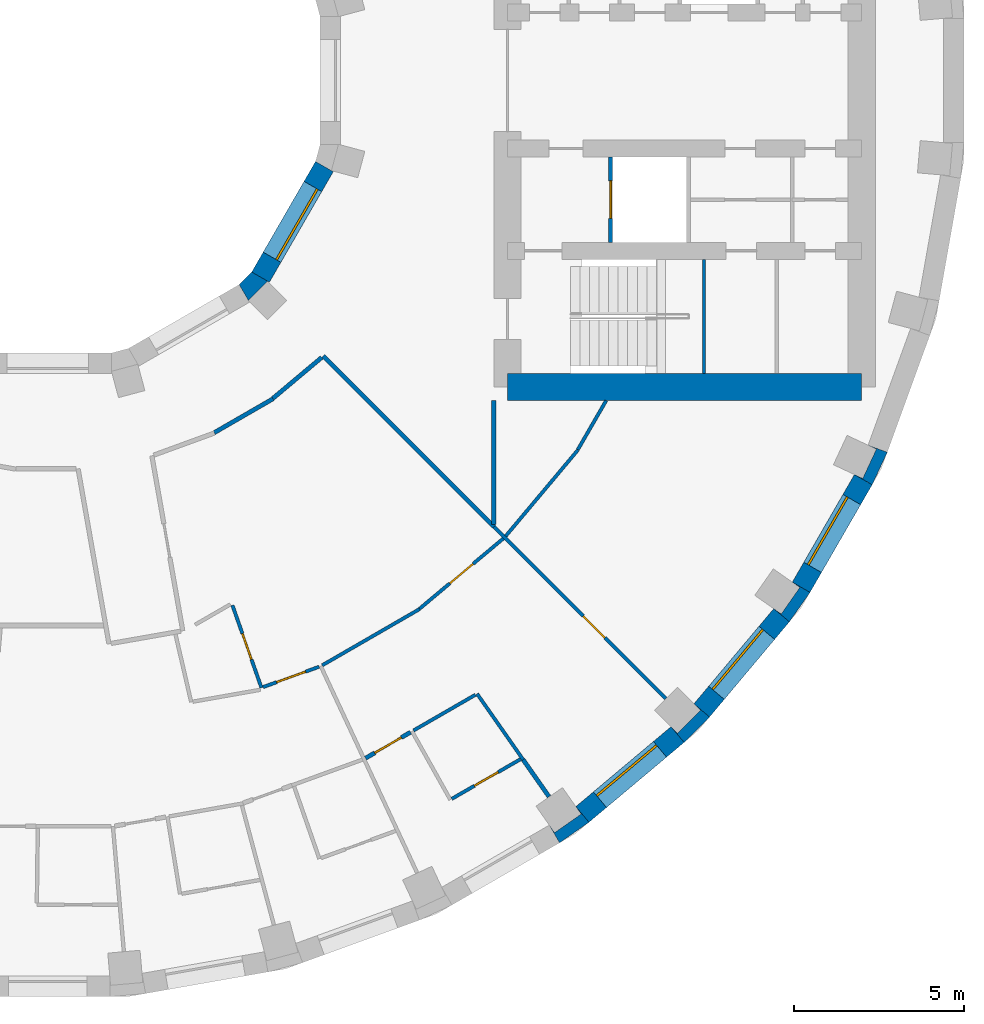
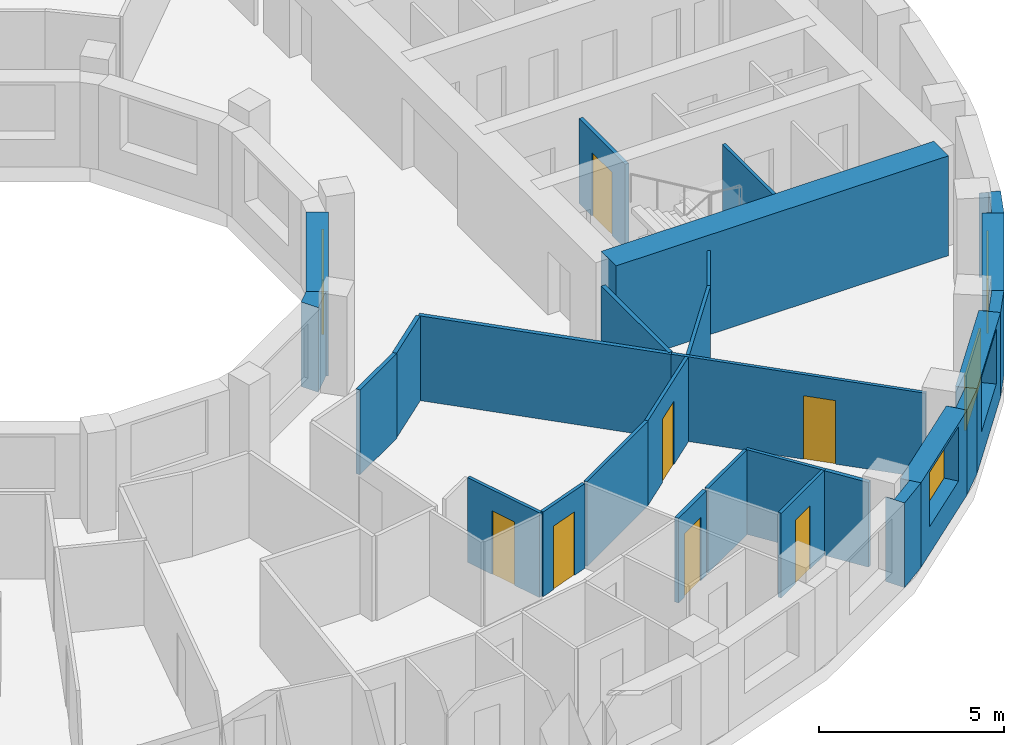
# One storey, part 8 of 14: 28 walls, 7 doors, 4 windows, 11 openings.
"""IFC4 building model written with IfcOpenShell, lengths in metres."""

from ifc_helpers import new_model, si_unit, direction, frame, frame_2d, origin, place, context, subcontext, project, spatial, polyline, rectangle, outline, extrude, material, layer, layer_set, type_object, element, fill, save


model = new_model("IFC4")

# Units and contexts
model_context = context("Model", 3, precision=1e-05, world=origin(), true_north=direction((0.0, 1.0)))
body_context = subcontext(model_context, "Body", "Model", "MODEL_VIEW")
ifc_project = project(units=[si_unit("LENGTHUNIT", "METRE"), si_unit("AREAUNIT", "SQUARE_METRE"), si_unit("VOLUMEUNIT", "CUBIC_METRE"), si_unit("PLANEANGLEUNIT", "RADIAN"), si_unit("MASSUNIT", "GRAM", prefix="KILO")], contexts=[model_context])

# Site, building, storey
site_placement = place(None, origin())
site = spatial("IfcSite", under=ifc_project, at=site_placement, CompositionType="ELEMENT")
building_placement = place(site_placement, origin())
building = spatial("IfcBuilding", under=site, at=building_placement, Name="Saqina Gate Tower", CompositionType="ELEMENT")
storey_placement = place(building_placement, frame((0.0, 0.0, 101.800048828125)))
storey = spatial("IfcBuildingStorey", under=building, at=storey_placement, Name="L28", CompositionType="ELEMENT", Elevation=101.800048828125)

# Walls
ifc_material_1 = material(Name="Brick masonry (buff)", Category="masonry")
wall_type_1 = type_object("IfcWallType", Name="BRICK PIER COPING BUFF", PredefinedType="SOLIDWALL", material=ifc_material_1)
wall_1_placement = place(storey_placement, origin())
element("IfcWall", 1, at=wall_1_placement, inside=storey, type_object=wall_type_1, Name="Pier cap L28 column 31", PredefinedType="SOLIDWALL", context=body_context, shape_type="SweptSolid", body=[
    extrude(outline(polyline([(15.89208984375, -21.77685546875), (15.50634765625, -21.317138671875), (15.66064453125, -21.53759765625), (14.88232421875, -22.08251953125), (14.728271484375, -21.862060546875), (15.0283203125, -22.3818359375), (15.89208984375, -21.77685546875)])), origin(), (0.0, 0.0, 1.0), 2.800048828125),
])
wall_2_placement = place(storey_placement, origin())
element("IfcWall", 2, at=wall_2_placement, inside=storey, type_object=wall_type_1, Name="Pier cap L28 column 32", PredefinedType="SOLIDWALL", context=body_context, shape_type="SweptSolid", body=[
    extrude(outline(polyline([(18.686279296875, -19.43212890625), (19.43212890625, -18.686279296875), (18.972412109375, -18.30078125), (19.16259765625, -18.49072265625), (18.49072265625, -19.16259765625), (18.30078125, -18.972412109375), (18.686279296875, -19.43212890625)])), origin(), (0.0, 0.0, 1.0), 2.800048828125),
])
wall_3_placement = place(storey_placement, origin())
element("IfcWall", 3, at=wall_3_placement, inside=storey, type_object=wall_type_1, Name="Pier cap L28 column 33", PredefinedType="SOLIDWALL", context=body_context, shape_type="SweptSolid", body=[
    extrude(outline(polyline([(22.3818359375, -15.0283203125), (21.862060546875, -14.728271484375), (22.08251953125, -14.88232421875), (21.53759765625, -15.66064453125), (21.317138671875, -15.50634765625), (21.77685546875, -15.89208984375), (22.3818359375, -15.0283203125)])), origin(), (0.0, 0.0, 1.0), 2.800048828125),
])
wall_4_placement = place(storey_placement, origin())
element("IfcWall", 4, at=wall_4_placement, inside=storey, type_object=wall_type_1, Name="Pier cap L28 column 34", PredefinedType="SOLIDWALL", context=body_context, shape_type="SweptSolid", body=[
    extrude(outline(polyline([(24.6513671875, -10.913330078125), (24.08740234375, -10.7080078125), (24.331298828125, -10.82177734375), (23.9296875, -11.6826171875), (23.68603515625, -11.569091796875), (24.205810546875, -11.869140625), (24.6513671875, -10.913330078125)])), origin(), (0.0, 0.0, 1.0), 2.800048828125),
])

# Wall, opening, window
ifc_material_2 = material(Name="Brick masonry (buff)", Category="masonry")
ifc_layer_1 = layer(ifc_material_2, 0.60009765625)
ifc_layer_set_1 = layer_set([ifc_layer_1], Name="FW-BRICK-BUFF")
wall_type_2 = type_object("IfcWallType", Name="FW-BRICK-BUFF", PredefinedType="SOLIDWALL", material=ifc_layer_set_1)
wall_5_placement = place(storey_placement, frame((15.69921875, -21.547119140625, 0.0), z_axis=(0.0, 0.0, 1.0), x_axis=(0.766055462616, 0.642774476932, 0.0)))
wall_5 = element("IfcWall", 5, at=wall_5_placement, inside=storey, type_object=wall_type_2, Name="Facade wall L28 facet 31", PredefinedType="SOLIDWALL", context=body_context, shape_type="SweptSolid", body=[
    extrude(rectangle(XDim=3.647705078125, YDim=0.60009765625, at=frame_2d((1.82373046875, 0.0))), origin(), (0.0, 0.0, 1.0), 2.800048828125),
])
opening_1_placement = place(wall_5_placement, frame((0.673828125, 0.0, 0.89990234375)))
opening_1 = element("IfcOpeningElement", 6, at=opening_1_placement, cuts=wall_5, Name="Opening G08-W20", PredefinedType="OPENING", context=body_context, shape_type="SweptSolid", body=[
    extrude(rectangle(XDim=2.300048828125, YDim=1.800048828125, at=frame_2d((1.14990234375, 0.89990234375))), frame((0.0, 0.31201171875, 0.0), z_axis=(0.0, -1.0, 0.0), x_axis=(1.0, 0.0, 0.0)), (0.0, 0.0, 1.0), 0.6240234375),
])
ifc_material_3 = material(Name="Aluminium glazing", Category="aluminium")
window_type_1 = type_object("IfcWindowType", Name="WN-B", PartitioningType="SINGLE_PANEL", PredefinedType="WINDOW", material=ifc_material_3)
window_1_placement = place(opening_1_placement, origin())
window_1 = element("IfcWindow", 7, at=window_1_placement, inside=storey, type_object=window_type_1, Name="Window L28 facet 31", OverallHeight=1.800048828125, OverallWidth=2.300048828125, PartitioningType="SINGLE_PANEL", PredefinedType="WINDOW", context=body_context, shape_type="SweptSolid", body=[
    extrude(rectangle(XDim=2.300048828125, YDim=1.800048828125, at=frame_2d((1.14990234375, 0.89990234375))), frame((0.0, 0.179931640625, 0.0), z_axis=(0.0, -1.0, 0.0), x_axis=(1.0, 0.0, 0.0)), (0.0, 0.0, 1.0), 0.06005859375),
])
fill(opening_1, window_1)

wall_6_placement = place(storey_placement, frame((19.202392578125, -18.49365234375, 0.0), z_axis=(0.0, 0.0, 1.0), x_axis=(0.642774476932, 0.766055462616, 0.0)))
wall_6 = element("IfcWall", 8, at=wall_6_placement, inside=storey, type_object=wall_type_2, Name="Facade wall L28 facet 32", PredefinedType="SOLIDWALL", context=body_context, shape_type="SweptSolid", body=[
    extrude(rectangle(XDim=3.647705078125, YDim=0.60009765625, at=frame_2d((1.82373046875, 0.0))), origin(), (0.0, 0.0, 1.0), 2.800048828125),
])
opening_2_placement = place(wall_6_placement, frame((0.673828125, 0.0, 0.89990234375)))
opening_2 = element("IfcOpeningElement", 9, at=opening_2_placement, cuts=wall_6, Name="Opening G08-W21", PredefinedType="OPENING", context=body_context, shape_type="SweptSolid", body=[
    extrude(rectangle(XDim=2.300048828125, YDim=1.800048828125, at=frame_2d((1.14990234375, 0.89990234375))), frame((0.0, 0.31201171875, 0.0), z_axis=(0.0, -1.0, 0.0), x_axis=(1.0, 0.0, 0.0)), (0.0, 0.0, 1.0), 0.6240234375),
])
window_2_placement = place(opening_2_placement, origin())
window_2 = element("IfcWindow", 10, at=window_2_placement, inside=storey, type_object=window_type_1, Name="Window L28 facet 32", OverallHeight=1.800048828125, OverallWidth=2.300048828125, PartitioningType="SINGLE_PANEL", PredefinedType="WINDOW", context=body_context, shape_type="SweptSolid", body=[
    extrude(rectangle(XDim=2.300048828125, YDim=1.800048828125, at=frame_2d((1.14990234375, 0.89990234375))), frame((0.0, 0.179931640625, 0.0), z_axis=(0.0, -1.0, 0.0), x_axis=(1.0, 0.0, 0.0)), (0.0, 0.0, 1.0), 0.06005859375),
])
fill(opening_2, window_2)

wall_7_placement = place(storey_placement, frame((22.1220703125, -14.878173828125, 0.0), z_axis=(0.0, 0.0, 1.0), x_axis=(0.499954196102, 0.866051847062, 0.0)))
wall_7 = element("IfcWall", 11, at=wall_7_placement, inside=storey, type_object=wall_type_2, Name="Facade wall L28 facet 33", PredefinedType="SOLIDWALL", context=body_context, shape_type="SweptSolid", body=[
    extrude(rectangle(XDim=3.647705078125, YDim=0.60009765625, at=frame_2d((1.82373046875, 0.0))), origin(), (0.0, 0.0, 1.0), 2.800048828125),
])
opening_3_placement = place(wall_7_placement, frame((0.673828125, 0.0, 0.89990234375)))
opening_3 = element("IfcOpeningElement", 12, at=opening_3_placement, cuts=wall_7, Name="Opening G08-W22", PredefinedType="OPENING", context=body_context, shape_type="SweptSolid", body=[
    extrude(rectangle(XDim=2.300048828125, YDim=1.800048828125, at=frame_2d((1.14990234375, 0.89990234375))), frame((0.0, 0.31201171875, 0.0), z_axis=(0.0, -1.0, 0.0), x_axis=(1.0, 0.0, 0.0)), (0.0, 0.0, 1.0), 0.6240234375),
])
window_3_placement = place(opening_3_placement, origin())
window_3 = element("IfcWindow", 13, at=window_3_placement, inside=storey, type_object=window_type_1, Name="Window L28 facet 33", OverallHeight=1.800048828125, OverallWidth=2.300048828125, PartitioningType="SINGLE_PANEL", PredefinedType="WINDOW", context=body_context, shape_type="SweptSolid", body=[
    extrude(rectangle(XDim=2.300048828125, YDim=1.800048828125, at=frame_2d((1.14990234375, 0.89990234375))), frame((0.0, 0.179931640625, 0.0), z_axis=(0.0, -1.0, 0.0), x_axis=(1.0, 0.0, 0.0)), (0.0, 0.0, 1.0), 0.06005859375),
])
fill(opening_3, window_3)

ifc_material_4 = material(Name="Glazed ceramic tile", Category="ceramic")
ifc_layer_2 = layer(ifc_material_4, 0.60009765625)
ifc_layer_set_2 = layer_set([ifc_layer_2], Name="IW-TILE")
wall_type_3 = type_object("IfcWallType", Name="IW-TILE", PredefinedType="SOLIDWALL", material=ifc_layer_set_2)
wall_8_placement = place(storey_placement, frame((6.251220703125, -5.772705078125, 0.0), z_axis=(0.0, 0.0, 1.0), x_axis=(0.499964958637, 0.86604563398, 0.0)))
wall_8 = element("IfcWall", 14, at=wall_8_placement, inside=storey, type_object=wall_type_3, Name="Well wall L28 facet 11", PredefinedType="SOLIDWALL", context=body_context, shape_type="SweptSolid", body=[
    extrude(rectangle(XDim=3.747314453125, YDim=0.60009765625, at=frame_2d((1.87353515625, 0.0))), origin(), (0.0, 0.0, 1.0), 2.800048828125),
])
opening_4_placement = place(wall_8_placement, frame((0.673583984375, 0.0, 0.89990234375)))
opening_4 = element("IfcOpeningElement", 15, at=opening_4_placement, cuts=wall_8, Name="Opening G08-W33", PredefinedType="OPENING", context=body_context, shape_type="SweptSolid", body=[
    extrude(rectangle(XDim=2.39990234375, YDim=1.800048828125, at=frame_2d((1.199951171875, 0.89990234375))), frame((0.0, 0.31201171875, 0.0), z_axis=(0.0, -1.0, 0.0), x_axis=(1.0, 0.0, 0.0)), (0.0, 0.0, 1.0), 0.6240234375),
])
ifc_material_5 = material(Name="Aluminium glazing", Category="aluminium")
window_type_2 = type_object("IfcWindowType", Name="WN-W", PartitioningType="SINGLE_PANEL", PredefinedType="WINDOW", material=ifc_material_5)
window_4_placement = place(opening_4_placement, origin())
window_4 = element("IfcWindow", 16, at=window_4_placement, inside=storey, type_object=window_type_2, Name="Well window L28 facet 11", OverallHeight=1.800048828125, OverallWidth=2.39990234375, PartitioningType="SINGLE_PANEL", PredefinedType="WINDOW", context=body_context, shape_type="SweptSolid", body=[
    extrude(rectangle(XDim=2.39990234375, YDim=1.800048828125, at=frame_2d((1.199951171875, 0.89990234375))), frame((0.0, -0.119873046875, 0.0), z_axis=(0.0, -1.0, 0.0), x_axis=(1.0, 0.0, 0.0)), (0.0, 0.0, 1.0), 0.06005859375),
])
fill(opening_4, window_4)

# Wall, opening, door
ifc_material_6 = material(Name="Gypsum board on steel studs, 100 mm", Category="steel")
ifc_layer_3 = layer(ifc_material_6, 0.10009765625)
ifc_layer_set_3 = layer_set([ifc_layer_3], Name="PARTITION 100")
wall_type_4 = type_object("IfcWallType", Name="PARTITION 100", PredefinedType="PARTITIONING", material=ifc_layer_set_3)
wall_9_placement = place(storey_placement, frame((5.424072265625, -15.4052734375, 0.0), z_axis=(0.0, 0.0, 1.0), x_axis=(0.332059637914, -0.943258393479, 0.0)))
wall_9 = element("IfcWall", 17, at=wall_9_placement, inside=storey, type_object=wall_type_4, Name="PARTITION PW3-10", PredefinedType="PARTITIONING", context=body_context, shape_type="SweptSolid", body=[
    extrude(rectangle(XDim=2.569580078125, YDim=0.10009765625, at=frame_2d((1.28466796875, 0.0))), origin(), (0.0, 0.0, 1.0), 2.800048828125),
])
opening_5_placement = place(wall_9_placement, frame((0.884521484375, 0.0, 0.0)))
opening_5 = element("IfcOpeningElement", 18, at=opening_5_placement, cuts=wall_9, Name="Opening G08-D43", PredefinedType="OPENING", context=body_context, shape_type="SweptSolid", body=[
    extrude(rectangle(XDim=0.800048828125, YDim=2.10009765625, at=frame_2d((0.39990234375, 1.050048828125))), frame((0.0, 0.06201171875, 0.0), z_axis=(0.0, -1.0, 0.0), x_axis=(1.0, 0.0, 0.0)), (0.0, 0.0, 1.0), 0.1240234375),
])
ifc_material_7 = material(Name="Timber door leaf, 800 mm", Category="wood")
door_type_1 = type_object("IfcDoorType", Name="DOOR 800 TIMBER", OperationType="SINGLE_SWING_LEFT", PredefinedType="DOOR", material=ifc_material_7)
door_1_placement = place(opening_5_placement, origin())
door_1 = element("IfcDoor", 19, at=door_1_placement, inside=storey, type_object=door_type_1, Name="DOOR G08-D43", OperationType="SINGLE_SWING_LEFT", OverallHeight=2.10009765625, OverallWidth=0.800048828125, PredefinedType="DOOR", context=body_context, shape_type="SweptSolid", body=[
    extrude(rectangle(XDim=0.800048828125, YDim=2.10009765625, at=frame_2d((0.39990234375, 1.050048828125))), frame((0.0, 0.02490234375, 0.0), z_axis=(0.0, -1.0, 0.0), x_axis=(1.0, 0.0, 0.0)), (0.0, 0.0, 1.0), 0.050048828125),
])
fill(opening_5, door_1)

# Wall
wall_10_placement = place(storey_placement, frame((12.60791015625, -18.006103515625, 0.0), z_axis=(0.0, 0.0, 1.0), x_axis=(0.573573515593, -0.819154089418, 0.0)))
element("IfcWall", 20, at=wall_10_placement, inside=storey, type_object=wall_type_4, Name="PARTITION PW3-17", PredefinedType="PARTITIONING", context=body_context, shape_type="SweptSolid", body=[
    extrude(rectangle(XDim=2.358154296875, YDim=0.10009765625, at=frame_2d((1.17919921875, 0.0))), origin(), (0.0, 0.0, 1.0), 2.800048828125),
])

# Wall, opening, door
wall_11_placement = place(storey_placement, frame((13.099853515625, -13.10009765625, 0.0), z_axis=(0.0, 0.0, 1.0), x_axis=(0.707192272448, -0.707021279588, 0.0)))
wall_11 = element("IfcWall", 21, at=wall_11_placement, inside=storey, type_object=wall_type_4, Name="PARTITION PW3-21", PredefinedType="PARTITIONING", context=body_context, shape_type="SweptSolid", body=[
    extrude(rectangle(XDim=7.138916015625, YDim=0.10009765625, at=frame_2d((3.5693359375, 0.0))), origin(), (0.0, 0.0, 1.0), 2.800048828125),
])
opening_6_placement = place(wall_11_placement, frame((3.709716796875, 0.0, 0.0)))
opening_6 = element("IfcOpeningElement", 22, at=opening_6_placement, cuts=wall_11, Name="Opening G08-D49", PredefinedType="OPENING", context=body_context, shape_type="SweptSolid", body=[
    extrude(rectangle(XDim=0.89990234375, YDim=2.10009765625, at=frame_2d((0.449951171875, 1.050048828125))), frame((0.0, 0.06201171875, 0.0), z_axis=(0.0, -1.0, 0.0), x_axis=(1.0, 0.0, 0.0)), (0.0, 0.0, 1.0), 0.1240234375),
])
ifc_material_8 = material(Name="Timber door leaf, 900 mm", Category="wood")
door_type_2 = type_object("IfcDoorType", Name="DOOR 900 TIMBER", OperationType="SINGLE_SWING_LEFT", PredefinedType="DOOR", material=ifc_material_8)
door_2_placement = place(opening_6_placement, origin())
door_2 = element("IfcDoor", 23, at=door_2_placement, inside=storey, type_object=door_type_2, Name="DOOR G08-D49", OperationType="SINGLE_SWING_RIGHT", OverallHeight=2.10009765625, OverallWidth=0.89990234375, PredefinedType="DOOR", context=body_context, shape_type="SweptSolid", body=[
    extrude(rectangle(XDim=0.89990234375, YDim=2.10009765625, at=frame_2d((0.449951171875, 1.050048828125))), frame((0.0, 0.02490234375, 0.0), z_axis=(0.0, -1.0, 0.0), x_axis=(1.0, 0.0, 0.0)), (0.0, 0.0, 1.0), 0.050048828125),
])
fill(opening_6, door_2)

wall_12_placement = place(storey_placement, frame((6.323974609375, -17.809814453125, 0.0), z_axis=(0.0, 0.0, 1.0), x_axis=(0.939842226204, 0.341608825771, 0.0)))
wall_12 = element("IfcWall", 24, at=wall_12_placement, inside=storey, type_object=wall_type_4, Name="PARTITION PW3-56", PredefinedType="PARTITIONING", context=body_context, shape_type="SweptSolid", body=[
    extrude(rectangle(XDim=1.75244140625, YDim=0.10009765625, at=frame_2d((0.876220703125, 0.0))), origin(), (0.0, 0.0, 1.0), 2.800048828125),
])
opening_7_placement = place(wall_12_placement, frame((0.42626953125, 0.0, 0.0)))
opening_7 = element("IfcOpeningElement", 25, at=opening_7_placement, cuts=wall_12, Name="Opening G08-D45", PredefinedType="OPENING", context=body_context, shape_type="SweptSolid", body=[
    extrude(rectangle(XDim=0.89990234375, YDim=2.10009765625, at=frame_2d((0.449951171875, 1.050048828125))), frame((0.0, 0.06201171875, 0.0), z_axis=(0.0, -1.0, 0.0), x_axis=(1.0, 0.0, 0.0)), (0.0, 0.0, 1.0), 0.1240234375),
])
door_3_placement = place(opening_7_placement, origin())
door_3 = element("IfcDoor", 26, at=door_3_placement, inside=storey, type_object=door_type_2, Name="DOOR G08-D45", OperationType="SINGLE_SWING_LEFT", OverallHeight=2.10009765625, OverallWidth=0.89990234375, PredefinedType="DOOR", context=body_context, shape_type="SweptSolid", body=[
    extrude(rectangle(XDim=0.89990234375, YDim=2.10009765625, at=frame_2d((0.449951171875, 1.050048828125))), frame((0.0, 0.02490234375, 0.0), z_axis=(0.0, -1.0, 0.0), x_axis=(1.0, 0.0, 0.0)), (0.0, 0.0, 1.0), 0.050048828125),
])
fill(opening_7, door_3)

wall_13_placement = place(storey_placement, frame((11.865234375, -21.090087890625, 0.0), z_axis=(0.0, 0.0, 1.0), x_axis=(0.866046247233, 0.49996389635, 0.0)))
wall_13 = element("IfcWall", 27, at=wall_13_placement, inside=storey, type_object=wall_type_4, Name="PARTITION PW3-61", PredefinedType="PARTITIONING", context=body_context, shape_type="SweptSolid", body=[
    extrude(rectangle(XDim=2.334228515625, YDim=0.10009765625, at=frame_2d((1.1669921875, 0.0))), origin(), (0.0, 0.0, 1.0), 2.800048828125),
])
opening_8_placement = place(wall_13_placement, frame((0.768310546875, 0.0, 0.0)))
opening_8 = element("IfcOpeningElement", 28, at=opening_8_placement, cuts=wall_13, Name="Opening G08-D47", PredefinedType="OPENING", context=body_context, shape_type="SweptSolid", body=[
    extrude(rectangle(XDim=0.800048828125, YDim=2.10009765625, at=frame_2d((0.39990234375, 1.050048828125))), frame((0.0, 0.06201171875, 0.0), z_axis=(0.0, -1.0, 0.0), x_axis=(1.0, 0.0, 0.0)), (0.0, 0.0, 1.0), 0.1240234375),
])
door_4_placement = place(opening_8_placement, frame((0.800048828125, 0.0, 0.0), z_axis=(0.0, 0.0, 1.0), x_axis=(-1.0, 0.0, 0.0)))
door_4 = element("IfcDoor", 29, at=door_4_placement, inside=storey, type_object=door_type_1, Name="DOOR G08-D47", OperationType="SINGLE_SWING_LEFT", OverallHeight=2.10009765625, OverallWidth=0.800048828125, PredefinedType="DOOR", context=body_context, shape_type="SweptSolid", body=[
    extrude(rectangle(XDim=0.800048828125, YDim=2.10009765625, at=frame_2d((0.39990234375, 1.050048828125))), frame((0.0, 0.02490234375, 0.0), z_axis=(0.0, -1.0, 0.0), x_axis=(1.0, 0.0, 0.0)), (0.0, 0.0, 1.0), 0.050048828125),
])
fill(opening_8, door_4)

# Walls
wall_14_placement = place(storey_placement, frame((10.7412109375, -19.0830078125, 0.0), z_axis=(0.0, 0.0, 1.0), x_axis=(0.86618365172, 0.499725806311, 0.0)))
element("IfcWall", 30, at=wall_14_placement, inside=storey, type_object=wall_type_4, Name="PARTITION PW3-62", PredefinedType="PARTITIONING", context=body_context, shape_type="SweptSolid", body=[
    extrude(rectangle(XDim=2.101318359375, YDim=0.10009765625, at=frame_2d((1.05078125, 0.0))), origin(), (0.0, 0.0, 1.0), 2.800048828125),
])
wall_15_placement = place(storey_placement, frame((8.061279296875, -17.1689453125, 0.0), z_axis=(0.0, 0.0, 1.0), x_axis=(0.865907705821, 0.500203803465, 0.0)))
element("IfcWall", 31, at=wall_15_placement, inside=storey, type_object=wall_type_4, Name="PARTITION PW3-63", PredefinedType="PARTITIONING", context=body_context, shape_type="SweptSolid", body=[
    extrude(rectangle(XDim=3.30712890625, YDim=0.10009765625, at=frame_2d((1.653564453125, 0.0))), origin(), (0.0, 0.0, 1.0), 2.800048828125),
])

# Wall, opening, door
wall_16_placement = place(storey_placement, frame((10.91943359375, -15.5078125, 0.0), z_axis=(0.0, 0.0, 1.0), x_axis=(0.766214515486, 0.642584870861, 0.0)))
wall_16 = element("IfcWall", 32, at=wall_16_placement, inside=storey, type_object=wall_type_4, Name="PARTITION PW3-69", PredefinedType="PARTITIONING", context=body_context, shape_type="SweptSolid", body=[
    extrude(rectangle(XDim=3.20703125, YDim=0.10009765625, at=frame_2d((1.603515625, 0.0))), origin(), (0.0, 0.0, 1.0), 2.800048828125),
])
opening_9_placement = place(wall_16_placement, frame((1.153564453125, 0.0, 0.0)))
opening_9 = element("IfcOpeningElement", 33, at=opening_9_placement, cuts=wall_16, Name="Opening G08-D48", PredefinedType="OPENING", context=body_context, shape_type="SweptSolid", body=[
    extrude(rectangle(XDim=0.89990234375, YDim=2.10009765625, at=frame_2d((0.449951171875, 1.050048828125))), frame((0.0, 0.06201171875, 0.0), z_axis=(0.0, -1.0, 0.0), x_axis=(1.0, 0.0, 0.0)), (0.0, 0.0, 1.0), 0.1240234375),
])
door_5_placement = place(opening_9_placement, origin())
door_5 = element("IfcDoor", 34, at=door_5_placement, inside=storey, type_object=door_type_2, Name="DOOR G08-D48", OperationType="SINGLE_SWING_LEFT", OverallHeight=2.10009765625, OverallWidth=0.89990234375, PredefinedType="DOOR", context=body_context, shape_type="SweptSolid", body=[
    extrude(rectangle(XDim=0.89990234375, YDim=2.10009765625, at=frame_2d((0.449951171875, 1.050048828125))), frame((0.0, 0.02490234375, 0.0), z_axis=(0.0, -1.0, 0.0), x_axis=(1.0, 0.0, 0.0)), (0.0, 0.0, 1.0), 0.050048828125),
])
fill(opening_9, door_5)

# Walls
wall_17_placement = place(storey_placement, frame((13.447021484375, -13.376708984375, 0.0), z_axis=(0.0, 0.0, 1.0), x_axis=(0.642547967595, 0.76624546285, 0.0)))
element("IfcWall", 35, at=wall_17_placement, inside=storey, type_object=wall_type_4, Name="PARTITION PW3-74", PredefinedType="PARTITIONING", context=body_context, shape_type="SweptSolid", body=[
    extrude(rectangle(XDim=3.307861328125, YDim=0.10009765625, at=frame_2d((1.65380859375, 0.0))), origin(), (0.0, 0.0, 1.0), 2.800048828125),
])
wall_18_placement = place(storey_placement, frame((15.56494140625, -10.837646484375, 0.0), z_axis=(0.0, 0.0, 1.0), x_axis=(0.500370548049, 0.865811362044, 0.0)))
element("IfcWall", 36, at=wall_18_placement, inside=storey, type_object=wall_type_4, Name="PARTITION PW3-82", PredefinedType="PARTITIONING", context=body_context, shape_type="SweptSolid", body=[
    extrude(rectangle(XDim=1.662841796875, YDim=0.10009765625, at=frame_2d((0.83154296875, 0.0))), origin(), (0.0, 0.0, 1.0), 2.800048828125),
])
ifc_material_9 = material(Name="Gypsum board on steel studs, 125 mm, fire rated", Category="steel")
ifc_layer_4 = layer(ifc_material_9, 0.125)
ifc_layer_set_4 = layer_set([ifc_layer_4], Name="PARTITION EI 30 125")
wall_type_5 = type_object("IfcWallType", Name="PARTITION EI 30 125", PredefinedType="PARTITIONING", material=ifc_layer_set_4)
wall_19_placement = place(storey_placement, frame((13.95849609375, -19.939208984375, 0.0), z_axis=(0.0, 0.0, 1.0), x_axis=(0.573511785482, -0.819197309513, 0.0)))
element("IfcWall", 37, at=wall_19_placement, inside=storey, type_object=wall_type_5, Name="PARTITION PW1-04", PredefinedType="PARTITIONING", context=body_context, shape_type="SweptSolid", body=[
    extrude(rectangle(XDim=1.32568359375, YDim=0.125, at=frame_2d((0.662841796875, 0.0))), origin(), (0.0, 0.0, 1.0), 2.800048828125),
])
wall_20_placement = place(storey_placement, frame((8.092041015625, -8.092041015625, 0.0), z_axis=(0.0, 0.0, 1.0), x_axis=(0.707106781187, -0.707106781187, 0.0)))
element("IfcWall", 38, at=wall_20_placement, inside=storey, type_object=wall_type_5, Name="PARTITION PW1-10", PredefinedType="PARTITIONING", context=body_context, shape_type="SweptSolid", body=[
    extrude(rectangle(XDim=7.08251953125, YDim=0.125, at=frame_2d((3.541259765625, 0.0))), origin(), (0.0, 0.0, 1.0), 2.800048828125),
])

# Wall, opening, door
wall_21_placement = place(storey_placement, frame((9.333251953125, -19.89599609375, 0.0), z_axis=(0.0, 0.0, 1.0), x_axis=(0.86603905187, 0.499976360077, 0.0)))
wall_21 = element("IfcWall", 39, at=wall_21_placement, inside=storey, type_object=wall_type_5, Name="PARTITION PW1-38", PredefinedType="PARTITIONING", context=body_context, shape_type="SweptSolid", body=[
    extrude(rectangle(XDim=1.52587890625, YDim=0.125, at=frame_2d((0.762939453125, 0.0))), origin(), (0.0, 0.0, 1.0), 2.800048828125),
])
opening_10_placement = place(wall_21_placement, frame((0.3134765625, 0.0, 0.0)))
opening_10 = element("IfcOpeningElement", 40, at=opening_10_placement, cuts=wall_21, Name="Opening G08-D46", PredefinedType="OPENING", context=body_context, shape_type="SweptSolid", body=[
    extrude(rectangle(XDim=0.89990234375, YDim=2.10009765625, at=frame_2d((0.449951171875, 1.050048828125))), frame((0.0, 0.074462890625, 0.0), z_axis=(0.0, -1.0, 0.0), x_axis=(1.0, 0.0, 0.0)), (0.0, 0.0, 1.0), 0.14892578125),
])
ifc_material_10 = material(Name="Fire door leaf EI 30, 900 mm")
door_type_3 = type_object("IfcDoorType", Name="DOOR 900 EI 30", OperationType="SINGLE_SWING_LEFT", PredefinedType="DOOR", material=ifc_material_10)
door_6_placement = place(opening_10_placement, origin())
door_6 = element("IfcDoor", 41, at=door_6_placement, inside=storey, type_object=door_type_3, Name="DOOR G08-D46", OperationType="SINGLE_SWING_LEFT", OverallHeight=2.10009765625, OverallWidth=0.89990234375, PredefinedType="DOOR", context=body_context, shape_type="SweptSolid", body=[
    extrude(rectangle(XDim=0.89990234375, YDim=2.10009765625, at=frame_2d((0.449951171875, 1.050048828125))), frame((0.0, 0.02490234375, 0.0), z_axis=(0.0, -1.0, 0.0), x_axis=(1.0, 0.0, 0.0)), (0.0, 0.0, 1.0), 0.050048828125),
])
fill(opening_10, door_6)

# Walls
wall_22_placement = place(storey_placement, frame((4.89013671875, -10.33984375, 0.0), z_axis=(0.0, 0.0, 1.0), x_axis=(0.866142818645, 0.499796576329, 0.0)))
element("IfcWall", 42, at=wall_22_placement, inside=storey, type_object=wall_type_5, Name="PARTITION PW1-39", PredefinedType="PARTITIONING", context=body_context, shape_type="SweptSolid", body=[
    extrude(rectangle(XDim=1.995849609375, YDim=0.125, at=frame_2d((0.998046875, 0.0))), origin(), (0.0, 0.0, 1.0), 2.800048828125),
])
wall_23_placement = place(storey_placement, frame((6.61181640625, -9.333740234375, 0.0), z_axis=(0.0, 0.0, 1.0), x_axis=(0.766118936526, 0.642698821453, 0.0)))
element("IfcWall", 43, at=wall_23_placement, inside=storey, type_object=wall_type_5, Name="PARTITION PW1-43", PredefinedType="PARTITIONING", context=body_context, shape_type="SweptSolid", body=[
    extrude(rectangle(XDim=1.869384765625, YDim=0.125, at=frame_2d((0.9345703125, 0.0))), origin(), (0.0, 0.0, 1.0), 2.800048828125),
])
wall_24_placement = place(storey_placement, frame((13.10009765625, -13.03759765625, 0.0), z_axis=(0.0, 0.0, 1.0), x_axis=(0.0, 1.0, 0.0)))
element("IfcWall", 44, at=wall_24_placement, inside=storey, type_object=wall_type_5, Name="PARTITION PW1-55", PredefinedType="PARTITIONING", context=body_context, shape_type="SweptSolid", body=[
    extrude(rectangle(XDim=3.6376953125, YDim=0.125, at=frame_2d((1.81884765625, 0.0))), origin(), (0.0, 0.0, 1.0), 2.800048828125),
])

# Wall, opening, door
ifc_material_11 = material(Name="Autoclaved aerated concrete block", Category="concrete")
ifc_layer_5 = layer(ifc_material_11, 0.1201171875)
ifc_layer_set_5 = layer_set([ifc_layer_5], Name="SHAFT PARTITION")
wall_type_6 = type_object("IfcWallType", Name="SHAFT PARTITION", PredefinedType="PARTITIONING", material=ifc_layer_set_5)
wall_25_placement = place(storey_placement, frame((16.530029296875, -4.75, 0.0), z_axis=(0.0, 0.0, 1.0), x_axis=(0.0, 1.0, 0.0)))
wall_25 = element("IfcWall", 45, at=wall_25_placement, inside=storey, type_object=wall_type_6, Name="L28-CP-E06", PredefinedType="PARTITIONING", context=body_context, shape_type="SweptSolid", body=[
    extrude(rectangle(XDim=2.5, YDim=0.1201171875, at=frame_2d((1.25, 0.0))), origin(), (0.0, 0.0, 1.0), 2.800048828125),
])
opening_11_placement = place(wall_25_placement, frame((0.699951171875, 0.0, 0.0)))
opening_11 = element("IfcOpeningElement", 46, at=opening_11_placement, cuts=wall_25, Name="Opening G08-LD2", PredefinedType="OPENING", context=body_context, shape_type="SweptSolid", body=[
    extrude(rectangle(XDim=1.10009765625, YDim=2.10009765625, at=frame_2d((0.550048828125, 1.050048828125))), frame((0.0, 0.072021484375, 0.0), z_axis=(0.0, -1.0, 0.0), x_axis=(1.0, 0.0, 0.0)), (0.0, 0.0, 1.0), 0.14404296875),
])
ifc_material_12 = material(Name="Stainless steel", Category="steel")
door_type_4 = type_object("IfcDoorType", Name="LANDING DOOR", OperationType="DOUBLE_DOOR_SLIDING", PredefinedType="DOOR", material=ifc_material_12)
door_7_placement = place(opening_11_placement, origin())
door_7 = element("IfcDoor", 47, at=door_7_placement, inside=storey, type_object=door_type_4, Name="LANDING DOOR FF1", OperationType="DOUBLE_DOOR_SLIDING", OverallHeight=2.10009765625, OverallWidth=1.10009765625, PredefinedType="DOOR", context=body_context, shape_type="SweptSolid", body=[
    extrude(rectangle(XDim=1.10009765625, YDim=2.10009765625, at=frame_2d((0.550048828125, 1.050048828125))), frame((0.0, 0.02490234375, 0.0), z_axis=(0.0, -1.0, 0.0), x_axis=(1.0, 0.0, 0.0)), (0.0, 0.0, 1.0), 0.050048828125),
])
fill(opening_11, door_7)

# Walls
ifc_material_13 = material(Name="Autoclaved aerated concrete block", Category="concrete")
ifc_layer_6 = layer(ifc_material_13, 0.10009765625)
ifc_layer_set_6 = layer_set([ifc_layer_6], Name="STAIR ENCLOSURE WALL")
wall_type_7 = type_object("IfcWallType", Name="STAIR ENCLOSURE WALL", PredefinedType="PARTITIONING", material=ifc_layer_set_6)
wall_26_placement = place(storey_placement, frame((19.27001953125, -8.60009765625, 0.0), z_axis=(0.0, 0.0, 1.0), x_axis=(0.0, 1.0, 0.0)))
element("IfcWall", 48, at=wall_26_placement, inside=storey, type_object=wall_type_7, Name="L28-CP-E15", PredefinedType="PARTITIONING", context=body_context, shape_type="SweptSolid", body=[
    extrude(rectangle(XDim=3.35009765625, YDim=0.10009765625, at=frame_2d((1.675048828125, 0.0))), origin(), (0.0, 0.0, 1.0), 2.800048828125),
])
ifc_material_14 = material(Name="Concrete C70/85", Category="concrete")
ifc_layer_7 = layer(ifc_material_14, 0.800048828125)
ifc_layer_set_7 = layer_set([ifc_layer_7], Name="Concrete C70/85")
wall_type_8 = type_object("IfcWallType", Name="STR-CORE WALL-B-O", PredefinedType="SHEAR", material=ifc_layer_set_7)
wall_27_placement = place(storey_placement, frame((13.5, -9.0, 0.0), z_axis=(0.0, 0.0, 1.0), x_axis=(1.0, 0.0, 0.0)))
element("IfcWall", 49, at=wall_27_placement, inside=storey, type_object=wall_type_8, Name="CORE WALL L28 E-SE", PredefinedType="SHEAR", context=body_context, shape_type="SweptSolid", body=[
    extrude(rectangle(XDim=10.39990234375, YDim=0.800048828125, at=frame_2d((5.199951171875, 0.0))), origin(), (0.0, 0.0, 1.0), 3.300048828125),
])
ifc_material_15 = material(Name="Glazed ceramic tile", Category="ceramic")
wall_type_9 = type_object("IfcWallType", Name="TILE PIER COPING", PredefinedType="SOLIDWALL", material=ifc_material_15)
wall_28_placement = place(storey_placement, origin())
element("IfcWall", 50, at=wall_28_placement, inside=storey, type_object=wall_type_9, Name="Well pier cap L28 column 11", PredefinedType="SOLIDWALL", context=body_context, shape_type="SweptSolid", body=[
    extrude(outline(polyline([(5.891845703125, -6.45751953125), (6.45751953125, -5.891845703125), (5.991455078125, -5.622802734375), (5.622802734375, -5.991455078125), (5.891845703125, -6.45751953125)])), origin(), (0.0, 0.0, 1.0), 2.800048828125),
])

save(model, "model.ifc")
